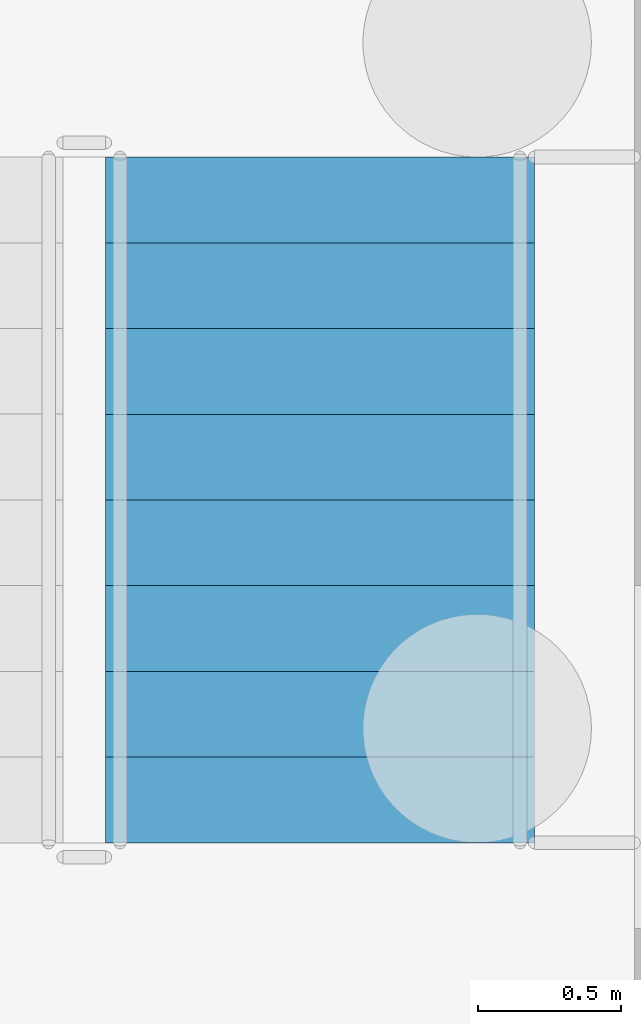
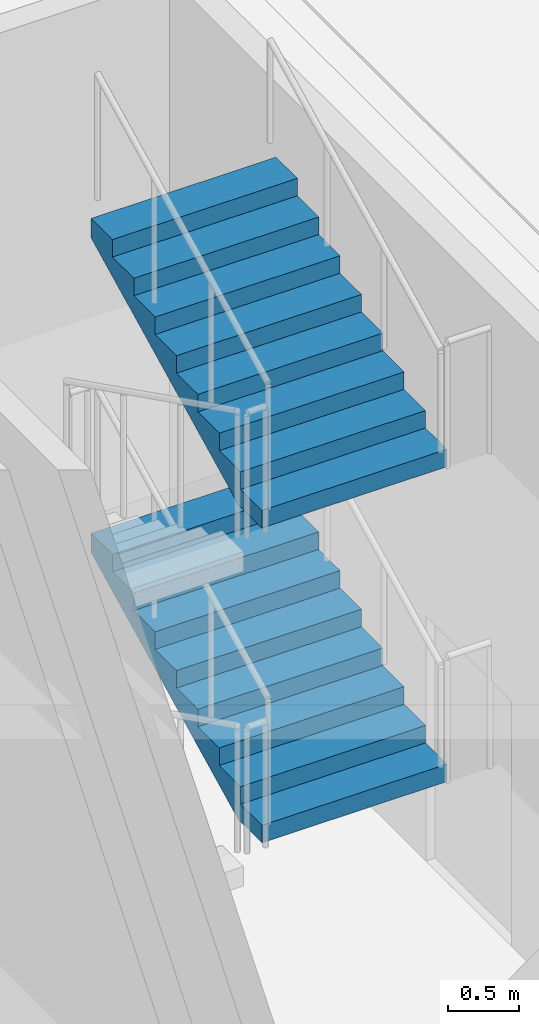
# One storey, part 69 of 129: 2 stair flights, 1 element without a shape of its own.
"""IFC4 building model written with IfcOpenShell, lengths in metres."""

from ifc_helpers import new_model, si_unit, direction, frame, origin, place, context, subcontext, project, spatial, faceted_brep, material, type_object, element, aggregate, save


model = new_model("IFC4")

# Units and contexts
model_context = context("Model", 3, precision=1e-05, world=origin(), true_north=direction((0.0, 1.0)))
body_context = subcontext(model_context, "Body", "Model", "MODEL_VIEW")
ifc_project = project(units=[si_unit("LENGTHUNIT", "METRE"), si_unit("AREAUNIT", "SQUARE_METRE"), si_unit("VOLUMEUNIT", "CUBIC_METRE"), si_unit("PLANEANGLEUNIT", "RADIAN"), si_unit("MASSUNIT", "GRAM", prefix="KILO")], contexts=[model_context])

# Site, building, storey
site_placement = place(None, origin())
site = spatial("IfcSite", under=ifc_project, at=site_placement, CompositionType="ELEMENT")
building_placement = place(site_placement, origin())
building = spatial("IfcBuilding", under=site, at=building_placement, Name="Kiln Court Media Centre", CompositionType="ELEMENT")
storey_placement = place(building_placement, origin())
storey = spatial("IfcBuildingStorey", under=building, at=storey_placement, Name="L00", CompositionType="ELEMENT", Elevation=0.0)

# Stair, stair flights
ifc_material_1 = material(Name="Concrete C40/50", Category="concrete")
stair_type = type_object("IfcStairType", Name="Concrete C40/50 dog-leg stair 1500 wide, 150 riser", PredefinedType="HALF_TURN_STAIR", material=ifc_material_1)
stair_placement = place(storey_placement, origin())
stair = element("IfcStair", 1, at=stair_placement, inside=storey, type_object=stair_type, Name="ST-04 L00", PredefinedType="HALF_TURN_STAIR")
ifc_material_2 = material(Name="Concrete C40/50", Category="concrete")
stair_flight_type = type_object("IfcStairFlightType", Name="Concrete C40/50 stair flight 1500 wide, 150 riser, 300 going", PredefinedType="STRAIGHT", material=ifc_material_2)
stair_flight_1_placement = place(storey_placement, frame((36.5, 3.89990234375, 1.35009765625), z_axis=(0.0, 0.0, 1.0), x_axis=(0.0, 1.0, 0.0)))
stair_flight_1 = element("IfcStairFlight", 2, at=stair_flight_1_placement, type_object=stair_flight_type, Name="L00-ST-5003 flight 5013", NumberOfRisers=9, NumberOfTreads=8, PredefinedType="STRAIGHT", RiserHeight=0.15, TreadLength=0.3, context=body_context, shape_type="Brep", body=[
    faceted_brep([(0.335205078125, -0.75, 0.0), (2.39990234375, -0.75, 1.032470703125), (2.39990234375, -0.75, 1.199951171875), (2.10009765625, -0.75, 1.199951171875), (2.10009765625, -0.75, 1.050048828125), (1.800048828125, -0.75, 1.050048828125), (1.800048828125, -0.75, 0.89990234375), (1.5, -0.75, 0.89990234375), (1.5, -0.75, 0.75), (1.199951171875, -0.75, 0.75), (1.199951171875, -0.75, 0.60009765625), (0.89990234375, -0.75, 0.60009765625), (0.89990234375, -0.75, 0.449951171875), (0.60009765625, -0.75, 0.449951171875), (0.60009765625, -0.75, 0.300048828125), (0.300048828125, -0.75, 0.300048828125), (0.300048828125, -0.75, 0.14990234375), (0.0, -0.75, 0.14990234375), (0.0, -0.75, 0.0), (0.0, 0.75, 0.0), (0.0, 0.75, 0.14990234375), (0.300048828125, 0.75, 0.14990234375), (0.300048828125, 0.75, 0.300048828125), (0.60009765625, 0.75, 0.300048828125), (0.60009765625, 0.75, 0.449951171875), (0.89990234375, 0.75, 0.449951171875), (0.89990234375, 0.75, 0.60009765625), (1.199951171875, 0.75, 0.60009765625), (1.199951171875, 0.75, 0.75), (1.5, 0.75, 0.75), (1.5, 0.75, 0.89990234375), (1.800048828125, 0.75, 0.89990234375), (1.800048828125, 0.75, 1.050048828125), (2.10009765625, 0.75, 1.050048828125), (2.10009765625, 0.75, 1.199951171875), (2.39990234375, 0.75, 1.199951171875), (2.39990234375, 0.75, 1.032470703125), (0.335205078125, 0.75, 0.0), (2.39990234375, 0.10009765625, 1.032470703125), (0.335205078125, 0.10009765625, 0.0), (2.39990234375, 0.080078125, 1.032470703125), (0.335205078125, 0.080078125, 0.0), (2.39990234375, 0.06005859375, 1.032470703125), (0.335205078125, 0.06005859375, 0.0), (2.39990234375, 0.0400390625, 1.032470703125), (0.335205078125, 0.0400390625, 0.0), (2.39990234375, 0.02001953125, 1.032470703125), (0.335205078125, 0.02001953125, 0.0), (2.39990234375, 0.0, 1.032470703125), (0.335205078125, 0.0, 0.0), (2.39990234375, -0.02001953125, 1.032470703125), (0.335205078125, -0.02001953125, 0.0), (2.39990234375, -0.0400390625, 1.032470703125), (0.335205078125, -0.0400390625, 0.0), (2.39990234375, -0.06005859375, 1.032470703125), (0.335205078125, -0.06005859375, 0.0), (2.39990234375, -0.080078125, 1.032470703125), (0.335205078125, -0.080078125, 0.0), (2.39990234375, -0.10009765625, 1.032470703125), (0.335205078125, -0.10009765625, 0.0), (2.39990234375, 0.10009765625, 1.199951171875), (2.39990234375, 0.080078125, 1.199951171875), (2.39990234375, 0.06005859375, 1.199951171875), (2.39990234375, 0.0400390625, 1.199951171875), (2.39990234375, 0.02001953125, 1.199951171875), (2.39990234375, 0.0, 1.199951171875), (2.39990234375, -0.02001953125, 1.199951171875), (2.39990234375, -0.0400390625, 1.199951171875), (2.39990234375, -0.06005859375, 1.199951171875), (2.39990234375, -0.080078125, 1.199951171875), (2.39990234375, -0.10009765625, 1.199951171875), (2.10009765625, 0.10009765625, 1.199951171875), (2.10009765625, 0.080078125, 1.199951171875), (2.10009765625, 0.06005859375, 1.199951171875), (2.10009765625, 0.0400390625, 1.199951171875), (2.10009765625, 0.02001953125, 1.199951171875), (2.10009765625, 0.0, 1.199951171875), (2.10009765625, -0.02001953125, 1.199951171875), (2.10009765625, -0.0400390625, 1.199951171875), (2.10009765625, -0.06005859375, 1.199951171875), (2.10009765625, -0.080078125, 1.199951171875), (2.10009765625, -0.10009765625, 1.199951171875), (2.10009765625, 0.10009765625, 1.050048828125), (2.10009765625, 0.080078125, 1.050048828125), (2.10009765625, 0.06005859375, 1.050048828125), (2.10009765625, 0.0400390625, 1.050048828125), (2.10009765625, 0.02001953125, 1.050048828125), (2.10009765625, 0.0, 1.050048828125), (2.10009765625, -0.02001953125, 1.050048828125), (2.10009765625, -0.0400390625, 1.050048828125), (2.10009765625, -0.06005859375, 1.050048828125), (2.10009765625, -0.080078125, 1.050048828125), (2.10009765625, -0.10009765625, 1.050048828125), (1.800048828125, 0.10009765625, 1.050048828125), (1.800048828125, 0.080078125, 1.050048828125), (1.800048828125, 0.06005859375, 1.050048828125), (1.800048828125, 0.0400390625, 1.050048828125), (1.800048828125, 0.02001953125, 1.050048828125), (1.800048828125, 0.0, 1.050048828125), (1.800048828125, -0.02001953125, 1.050048828125), (1.800048828125, -0.0400390625, 1.050048828125), (1.800048828125, -0.06005859375, 1.050048828125), (1.800048828125, -0.080078125, 1.050048828125), (1.800048828125, -0.10009765625, 1.050048828125), (1.800048828125, 0.10009765625, 0.89990234375), (1.800048828125, 0.080078125, 0.89990234375), (1.800048828125, 0.06005859375, 0.89990234375), (1.800048828125, 0.0400390625, 0.89990234375), (1.800048828125, 0.02001953125, 0.89990234375), (1.800048828125, 0.0, 0.89990234375), (1.800048828125, -0.02001953125, 0.89990234375), (1.800048828125, -0.0400390625, 0.89990234375), (1.800048828125, -0.06005859375, 0.89990234375), (1.800048828125, -0.080078125, 0.89990234375), (1.800048828125, -0.10009765625, 0.89990234375), (1.5, 0.10009765625, 0.89990234375), (1.5, 0.080078125, 0.89990234375), (1.5, 0.06005859375, 0.89990234375), (1.5, 0.0400390625, 0.89990234375), (1.5, 0.02001953125, 0.89990234375), (1.5, 0.0, 0.89990234375), (1.5, -0.02001953125, 0.89990234375), (1.5, -0.0400390625, 0.89990234375), (1.5, -0.06005859375, 0.89990234375), (1.5, -0.080078125, 0.89990234375), (1.5, -0.10009765625, 0.89990234375), (1.5, 0.10009765625, 0.75), (1.5, 0.080078125, 0.75), (1.5, 0.06005859375, 0.75), (1.5, 0.0400390625, 0.75), (1.5, 0.02001953125, 0.75), (1.5, 0.0, 0.75), (1.5, -0.02001953125, 0.75), (1.5, -0.0400390625, 0.75), (1.5, -0.06005859375, 0.75), (1.5, -0.080078125, 0.75), (1.5, -0.10009765625, 0.75), (1.199951171875, 0.10009765625, 0.75), (1.199951171875, 0.080078125, 0.75), (1.199951171875, 0.06005859375, 0.75), (1.199951171875, 0.0400390625, 0.75), (1.199951171875, 0.02001953125, 0.75), (1.199951171875, 0.0, 0.75), (1.199951171875, -0.02001953125, 0.75), (1.199951171875, -0.0400390625, 0.75), (1.199951171875, -0.06005859375, 0.75), (1.199951171875, -0.080078125, 0.75), (1.199951171875, -0.10009765625, 0.75), (1.199951171875, 0.10009765625, 0.60009765625), (1.199951171875, 0.080078125, 0.60009765625), (1.199951171875, 0.06005859375, 0.60009765625), (1.199951171875, 0.0400390625, 0.60009765625), (1.199951171875, 0.02001953125, 0.60009765625), (1.199951171875, 0.0, 0.60009765625), (1.199951171875, -0.02001953125, 0.60009765625), (1.199951171875, -0.0400390625, 0.60009765625), (1.199951171875, -0.06005859375, 0.60009765625), (1.199951171875, -0.080078125, 0.60009765625), (1.199951171875, -0.10009765625, 0.60009765625), (0.89990234375, 0.10009765625, 0.60009765625), (0.89990234375, 0.080078125, 0.60009765625), (0.89990234375, 0.06005859375, 0.60009765625), (0.89990234375, 0.0400390625, 0.60009765625), (0.89990234375, 0.02001953125, 0.60009765625), (0.89990234375, 0.0, 0.60009765625), (0.89990234375, -0.02001953125, 0.60009765625), (0.89990234375, -0.0400390625, 0.60009765625), (0.89990234375, -0.06005859375, 0.60009765625), (0.89990234375, -0.080078125, 0.60009765625), (0.89990234375, -0.10009765625, 0.60009765625), (0.89990234375, 0.10009765625, 0.449951171875), (0.89990234375, 0.080078125, 0.449951171875), (0.89990234375, 0.06005859375, 0.449951171875), (0.89990234375, 0.0400390625, 0.449951171875), (0.89990234375, 0.02001953125, 0.449951171875), (0.89990234375, 0.0, 0.449951171875), (0.89990234375, -0.02001953125, 0.449951171875), (0.89990234375, -0.0400390625, 0.449951171875), (0.89990234375, -0.06005859375, 0.449951171875), (0.89990234375, -0.080078125, 0.449951171875), (0.89990234375, -0.10009765625, 0.449951171875), (0.60009765625, 0.10009765625, 0.449951171875), (0.60009765625, 0.080078125, 0.449951171875), (0.60009765625, 0.06005859375, 0.449951171875), (0.60009765625, 0.0400390625, 0.449951171875), (0.60009765625, 0.02001953125, 0.449951171875), (0.60009765625, 0.0, 0.449951171875), (0.60009765625, -0.02001953125, 0.449951171875), (0.60009765625, -0.0400390625, 0.449951171875), (0.60009765625, -0.06005859375, 0.449951171875), (0.60009765625, -0.080078125, 0.449951171875), (0.60009765625, -0.10009765625, 0.449951171875), (0.60009765625, 0.10009765625, 0.300048828125), (0.60009765625, 0.080078125, 0.300048828125), (0.60009765625, 0.06005859375, 0.300048828125), (0.60009765625, 0.0400390625, 0.300048828125), (0.60009765625, 0.02001953125, 0.300048828125), (0.60009765625, 0.0, 0.300048828125), (0.60009765625, -0.02001953125, 0.300048828125), (0.60009765625, -0.0400390625, 0.300048828125), (0.60009765625, -0.06005859375, 0.300048828125), (0.60009765625, -0.080078125, 0.300048828125), (0.60009765625, -0.10009765625, 0.300048828125), (0.300048828125, 0.10009765625, 0.300048828125), (0.300048828125, 0.080078125, 0.300048828125), (0.300048828125, 0.06005859375, 0.300048828125), (0.300048828125, 0.0400390625, 0.300048828125), (0.300048828125, 0.02001953125, 0.300048828125), (0.300048828125, 0.0, 0.300048828125), (0.300048828125, -0.02001953125, 0.300048828125), (0.300048828125, -0.0400390625, 0.300048828125), (0.300048828125, -0.06005859375, 0.300048828125), (0.300048828125, -0.080078125, 0.300048828125), (0.300048828125, -0.10009765625, 0.300048828125), (0.300048828125, 0.10009765625, 0.14990234375), (0.300048828125, 0.080078125, 0.14990234375), (0.300048828125, 0.06005859375, 0.14990234375), (0.300048828125, 0.0400390625, 0.14990234375), (0.300048828125, 0.02001953125, 0.14990234375), (0.300048828125, 0.0, 0.14990234375), (0.300048828125, -0.02001953125, 0.14990234375), (0.300048828125, -0.0400390625, 0.14990234375), (0.300048828125, -0.06005859375, 0.14990234375), (0.300048828125, -0.080078125, 0.14990234375), (0.300048828125, -0.10009765625, 0.14990234375), (0.0, 0.10009765625, 0.14990234375), (0.0, 0.080078125, 0.14990234375), (0.0, 0.06005859375, 0.14990234375), (0.0, 0.0400390625, 0.14990234375), (0.0, 0.02001953125, 0.14990234375), (0.0, 0.0, 0.14990234375), (0.0, -0.02001953125, 0.14990234375), (0.0, -0.0400390625, 0.14990234375), (0.0, -0.06005859375, 0.14990234375), (0.0, -0.080078125, 0.14990234375), (0.0, -0.10009765625, 0.14990234375), (0.0, 0.10009765625, 0.0), (0.0, 0.080078125, 0.0), (0.0, 0.06005859375, 0.0), (0.0, 0.0400390625, 0.0), (0.0, 0.02001953125, 0.0), (0.0, 0.0, 0.0), (0.0, -0.02001953125, 0.0), (0.0, -0.0400390625, 0.0), (0.0, -0.06005859375, 0.0), (0.0, -0.080078125, 0.0), (0.0, -0.10009765625, 0.0)], [[[0, 1, 2, 3, 4, 5, 6, 7, 8, 9, 10, 11, 12, 13, 14, 15, 16, 17, 18]], [[19, 20, 21, 22, 23, 24, 25, 26, 27, 28, 29, 30, 31, 32, 33, 34, 35, 36, 37]], [[37, 36, 38, 39]], [[39, 38, 40, 41]], [[41, 40, 42, 43]], [[43, 42, 44, 45]], [[45, 44, 46, 47]], [[47, 46, 48, 49]], [[49, 48, 50, 51]], [[51, 50, 52, 53]], [[53, 52, 54, 55]], [[55, 54, 56, 57]], [[57, 56, 58, 59]], [[59, 58, 1, 0]], [[36, 35, 60, 38]], [[38, 60, 61, 40]], [[40, 61, 62, 42]], [[42, 62, 63, 44]], [[44, 63, 64, 46]], [[46, 64, 65, 48]], [[48, 65, 66, 50]], [[50, 66, 67, 52]], [[52, 67, 68, 54]], [[54, 68, 69, 56]], [[56, 69, 70, 58]], [[58, 70, 2, 1]], [[35, 34, 71, 60]], [[60, 71, 72, 61]], [[61, 72, 73, 62]], [[62, 73, 74, 63]], [[63, 74, 75, 64]], [[64, 75, 76, 65]], [[65, 76, 77, 66]], [[66, 77, 78, 67]], [[67, 78, 79, 68]], [[68, 79, 80, 69]], [[69, 80, 81, 70]], [[70, 81, 3, 2]], [[34, 33, 82, 71]], [[71, 82, 83, 72]], [[72, 83, 84, 73]], [[73, 84, 85, 74]], [[74, 85, 86, 75]], [[75, 86, 87, 76]], [[76, 87, 88, 77]], [[77, 88, 89, 78]], [[78, 89, 90, 79]], [[79, 90, 91, 80]], [[80, 91, 92, 81]], [[81, 92, 4, 3]], [[33, 32, 93, 82]], [[82, 93, 94, 83]], [[83, 94, 95, 84]], [[84, 95, 96, 85]], [[85, 96, 97, 86]], [[86, 97, 98, 87]], [[87, 98, 99, 88]], [[88, 99, 100, 89]], [[89, 100, 101, 90]], [[90, 101, 102, 91]], [[91, 102, 103, 92]], [[92, 103, 5, 4]], [[32, 31, 104, 93]], [[93, 104, 105, 94]], [[94, 105, 106, 95]], [[95, 106, 107, 96]], [[96, 107, 108, 97]], [[97, 108, 109, 98]], [[98, 109, 110, 99]], [[99, 110, 111, 100]], [[100, 111, 112, 101]], [[101, 112, 113, 102]], [[102, 113, 114, 103]], [[103, 114, 6, 5]], [[31, 30, 115, 104]], [[104, 115, 116, 105]], [[105, 116, 117, 106]], [[106, 117, 118, 107]], [[107, 118, 119, 108]], [[108, 119, 120, 109]], [[109, 120, 121, 110]], [[110, 121, 122, 111]], [[111, 122, 123, 112]], [[112, 123, 124, 113]], [[113, 124, 125, 114]], [[114, 125, 7, 6]], [[30, 29, 126, 115]], [[115, 126, 127, 116]], [[116, 127, 128, 117]], [[117, 128, 129, 118]], [[118, 129, 130, 119]], [[119, 130, 131, 120]], [[120, 131, 132, 121]], [[121, 132, 133, 122]], [[122, 133, 134, 123]], [[123, 134, 135, 124]], [[124, 135, 136, 125]], [[125, 136, 8, 7]], [[29, 28, 137, 126]], [[126, 137, 138, 127]], [[127, 138, 139, 128]], [[128, 139, 140, 129]], [[129, 140, 141, 130]], [[130, 141, 142, 131]], [[131, 142, 143, 132]], [[132, 143, 144, 133]], [[133, 144, 145, 134]], [[134, 145, 146, 135]], [[135, 146, 147, 136]], [[136, 147, 9, 8]], [[28, 27, 148, 137]], [[137, 148, 149, 138]], [[138, 149, 150, 139]], [[139, 150, 151, 140]], [[140, 151, 152, 141]], [[141, 152, 153, 142]], [[142, 153, 154, 143]], [[143, 154, 155, 144]], [[144, 155, 156, 145]], [[145, 156, 157, 146]], [[146, 157, 158, 147]], [[147, 158, 10, 9]], [[27, 26, 159, 148]], [[148, 159, 160, 149]], [[149, 160, 161, 150]], [[150, 161, 162, 151]], [[151, 162, 163, 152]], [[152, 163, 164, 153]], [[153, 164, 165, 154]], [[154, 165, 166, 155]], [[155, 166, 167, 156]], [[156, 167, 168, 157]], [[157, 168, 169, 158]], [[158, 169, 11, 10]], [[26, 25, 170, 159]], [[159, 170, 171, 160]], [[160, 171, 172, 161]], [[161, 172, 173, 162]], [[162, 173, 174, 163]], [[163, 174, 175, 164]], [[164, 175, 176, 165]], [[165, 176, 177, 166]], [[166, 177, 178, 167]], [[167, 178, 179, 168]], [[168, 179, 180, 169]], [[169, 180, 12, 11]], [[25, 24, 181, 170]], [[170, 181, 182, 171]], [[171, 182, 183, 172]], [[172, 183, 184, 173]], [[173, 184, 185, 174]], [[174, 185, 186, 175]], [[175, 186, 187, 176]], [[176, 187, 188, 177]], [[177, 188, 189, 178]], [[178, 189, 190, 179]], [[179, 190, 191, 180]], [[180, 191, 13, 12]], [[24, 23, 192, 181]], [[181, 192, 193, 182]], [[182, 193, 194, 183]], [[183, 194, 195, 184]], [[184, 195, 196, 185]], [[185, 196, 197, 186]], [[186, 197, 198, 187]], [[187, 198, 199, 188]], [[188, 199, 200, 189]], [[189, 200, 201, 190]], [[190, 201, 202, 191]], [[191, 202, 14, 13]], [[23, 22, 203, 192]], [[192, 203, 204, 193]], [[193, 204, 205, 194]], [[194, 205, 206, 195]], [[195, 206, 207, 196]], [[196, 207, 208, 197]], [[197, 208, 209, 198]], [[198, 209, 210, 199]], [[199, 210, 211, 200]], [[200, 211, 212, 201]], [[201, 212, 213, 202]], [[202, 213, 15, 14]], [[22, 21, 214, 203]], [[203, 214, 215, 204]], [[204, 215, 216, 205]], [[205, 216, 217, 206]], [[206, 217, 218, 207]], [[207, 218, 219, 208]], [[208, 219, 220, 209]], [[209, 220, 221, 210]], [[210, 221, 222, 211]], [[211, 222, 223, 212]], [[212, 223, 224, 213]], [[213, 224, 16, 15]], [[21, 20, 225, 214]], [[214, 225, 226, 215]], [[215, 226, 227, 216]], [[216, 227, 228, 217]], [[217, 228, 229, 218]], [[218, 229, 230, 219]], [[219, 230, 231, 220]], [[220, 231, 232, 221]], [[221, 232, 233, 222]], [[222, 233, 234, 223]], [[223, 234, 235, 224]], [[224, 235, 17, 16]], [[20, 19, 236, 225]], [[225, 236, 237, 226]], [[226, 237, 238, 227]], [[227, 238, 239, 228]], [[228, 239, 240, 229]], [[229, 240, 241, 230]], [[230, 241, 242, 231]], [[231, 242, 243, 232]], [[232, 243, 244, 233]], [[233, 244, 245, 234]], [[234, 245, 246, 235]], [[235, 246, 18, 17]], [[19, 37, 39, 236]], [[236, 39, 41, 237]], [[237, 41, 43, 238]], [[238, 43, 45, 239]], [[239, 45, 47, 240]], [[240, 47, 49, 241]], [[241, 49, 51, 242]], [[242, 51, 53, 243]], [[243, 53, 55, 244]], [[244, 55, 57, 245]], [[245, 57, 59, 246]], [[246, 59, 0, 18]]]),
])
stair_flight_2_placement = place(storey_placement, frame((36.5, 3.89990234375, 4.050048828125), z_axis=(0.0, 0.0, 1.0), x_axis=(0.0, 1.0, 0.0)))
stair_flight_2 = element("IfcStairFlight", 3, at=stair_flight_2_placement, type_object=stair_flight_type, Name="L00-ST-5003 flight 5015", NumberOfRisers=9, NumberOfTreads=8, PredefinedType="STRAIGHT", RiserHeight=0.15, TreadLength=0.3, context=body_context, shape_type="Brep", body=[
    faceted_brep([(0.335205078125, -0.75, 0.0), (2.39990234375, -0.75, 1.032470703125), (2.39990234375, -0.75, 1.199951171875), (2.10009765625, -0.75, 1.199951171875), (2.10009765625, -0.75, 1.050048828125), (1.800048828125, -0.75, 1.050048828125), (1.800048828125, -0.75, 0.89990234375), (1.5, -0.75, 0.89990234375), (1.5, -0.75, 0.75), (1.199951171875, -0.75, 0.75), (1.199951171875, -0.75, 0.60009765625), (0.89990234375, -0.75, 0.60009765625), (0.89990234375, -0.75, 0.449951171875), (0.60009765625, -0.75, 0.449951171875), (0.60009765625, -0.75, 0.300048828125), (0.300048828125, -0.75, 0.300048828125), (0.300048828125, -0.75, 0.14990234375), (0.0, -0.75, 0.14990234375), (0.0, -0.75, 0.0), (0.0, 0.75, 0.0), (0.0, 0.75, 0.14990234375), (0.300048828125, 0.75, 0.14990234375), (0.300048828125, 0.75, 0.300048828125), (0.60009765625, 0.75, 0.300048828125), (0.60009765625, 0.75, 0.449951171875), (0.89990234375, 0.75, 0.449951171875), (0.89990234375, 0.75, 0.60009765625), (1.199951171875, 0.75, 0.60009765625), (1.199951171875, 0.75, 0.75), (1.5, 0.75, 0.75), (1.5, 0.75, 0.89990234375), (1.800048828125, 0.75, 0.89990234375), (1.800048828125, 0.75, 1.050048828125), (2.10009765625, 0.75, 1.050048828125), (2.10009765625, 0.75, 1.199951171875), (2.39990234375, 0.75, 1.199951171875), (2.39990234375, 0.75, 1.032470703125), (0.335205078125, 0.75, 0.0), (2.39990234375, 0.10009765625, 1.032470703125), (0.335205078125, 0.10009765625, 0.0), (2.39990234375, 0.080078125, 1.032470703125), (0.335205078125, 0.080078125, 0.0), (2.39990234375, 0.06005859375, 1.032470703125), (0.335205078125, 0.06005859375, 0.0), (2.39990234375, 0.0400390625, 1.032470703125), (0.335205078125, 0.0400390625, 0.0), (2.39990234375, 0.02001953125, 1.032470703125), (0.335205078125, 0.02001953125, 0.0), (2.39990234375, 0.0, 1.032470703125), (0.335205078125, 0.0, 0.0), (2.39990234375, -0.02001953125, 1.032470703125), (0.335205078125, -0.02001953125, 0.0), (2.39990234375, -0.0400390625, 1.032470703125), (0.335205078125, -0.0400390625, 0.0), (2.39990234375, -0.06005859375, 1.032470703125), (0.335205078125, -0.06005859375, 0.0), (2.39990234375, -0.080078125, 1.032470703125), (0.335205078125, -0.080078125, 0.0), (2.39990234375, -0.10009765625, 1.032470703125), (0.335205078125, -0.10009765625, 0.0), (2.39990234375, 0.10009765625, 1.199951171875), (2.39990234375, 0.080078125, 1.199951171875), (2.39990234375, 0.06005859375, 1.199951171875), (2.39990234375, 0.0400390625, 1.199951171875), (2.39990234375, 0.02001953125, 1.199951171875), (2.39990234375, 0.0, 1.199951171875), (2.39990234375, -0.02001953125, 1.199951171875), (2.39990234375, -0.0400390625, 1.199951171875), (2.39990234375, -0.06005859375, 1.199951171875), (2.39990234375, -0.080078125, 1.199951171875), (2.39990234375, -0.10009765625, 1.199951171875), (2.10009765625, 0.10009765625, 1.199951171875), (2.10009765625, 0.080078125, 1.199951171875), (2.10009765625, 0.06005859375, 1.199951171875), (2.10009765625, 0.0400390625, 1.199951171875), (2.10009765625, 0.02001953125, 1.199951171875), (2.10009765625, 0.0, 1.199951171875), (2.10009765625, -0.02001953125, 1.199951171875), (2.10009765625, -0.0400390625, 1.199951171875), (2.10009765625, -0.06005859375, 1.199951171875), (2.10009765625, -0.080078125, 1.199951171875), (2.10009765625, -0.10009765625, 1.199951171875), (2.10009765625, 0.10009765625, 1.050048828125), (2.10009765625, 0.080078125, 1.050048828125), (2.10009765625, 0.06005859375, 1.050048828125), (2.10009765625, 0.0400390625, 1.050048828125), (2.10009765625, 0.02001953125, 1.050048828125), (2.10009765625, 0.0, 1.050048828125), (2.10009765625, -0.02001953125, 1.050048828125), (2.10009765625, -0.0400390625, 1.050048828125), (2.10009765625, -0.06005859375, 1.050048828125), (2.10009765625, -0.080078125, 1.050048828125), (2.10009765625, -0.10009765625, 1.050048828125), (1.800048828125, 0.10009765625, 1.050048828125), (1.800048828125, 0.080078125, 1.050048828125), (1.800048828125, 0.06005859375, 1.050048828125), (1.800048828125, 0.0400390625, 1.050048828125), (1.800048828125, 0.02001953125, 1.050048828125), (1.800048828125, 0.0, 1.050048828125), (1.800048828125, -0.02001953125, 1.050048828125), (1.800048828125, -0.0400390625, 1.050048828125), (1.800048828125, -0.06005859375, 1.050048828125), (1.800048828125, -0.080078125, 1.050048828125), (1.800048828125, -0.10009765625, 1.050048828125), (1.800048828125, 0.10009765625, 0.89990234375), (1.800048828125, 0.080078125, 0.89990234375), (1.800048828125, 0.06005859375, 0.89990234375), (1.800048828125, 0.0400390625, 0.89990234375), (1.800048828125, 0.02001953125, 0.89990234375), (1.800048828125, 0.0, 0.89990234375), (1.800048828125, -0.02001953125, 0.89990234375), (1.800048828125, -0.0400390625, 0.89990234375), (1.800048828125, -0.06005859375, 0.89990234375), (1.800048828125, -0.080078125, 0.89990234375), (1.800048828125, -0.10009765625, 0.89990234375), (1.5, 0.10009765625, 0.89990234375), (1.5, 0.080078125, 0.89990234375), (1.5, 0.06005859375, 0.89990234375), (1.5, 0.0400390625, 0.89990234375), (1.5, 0.02001953125, 0.89990234375), (1.5, 0.0, 0.89990234375), (1.5, -0.02001953125, 0.89990234375), (1.5, -0.0400390625, 0.89990234375), (1.5, -0.06005859375, 0.89990234375), (1.5, -0.080078125, 0.89990234375), (1.5, -0.10009765625, 0.89990234375), (1.5, 0.10009765625, 0.75), (1.5, 0.080078125, 0.75), (1.5, 0.06005859375, 0.75), (1.5, 0.0400390625, 0.75), (1.5, 0.02001953125, 0.75), (1.5, 0.0, 0.75), (1.5, -0.02001953125, 0.75), (1.5, -0.0400390625, 0.75), (1.5, -0.06005859375, 0.75), (1.5, -0.080078125, 0.75), (1.5, -0.10009765625, 0.75), (1.199951171875, 0.10009765625, 0.75), (1.199951171875, 0.080078125, 0.75), (1.199951171875, 0.06005859375, 0.75), (1.199951171875, 0.0400390625, 0.75), (1.199951171875, 0.02001953125, 0.75), (1.199951171875, 0.0, 0.75), (1.199951171875, -0.02001953125, 0.75), (1.199951171875, -0.0400390625, 0.75), (1.199951171875, -0.06005859375, 0.75), (1.199951171875, -0.080078125, 0.75), (1.199951171875, -0.10009765625, 0.75), (1.199951171875, 0.10009765625, 0.60009765625), (1.199951171875, 0.080078125, 0.60009765625), (1.199951171875, 0.06005859375, 0.60009765625), (1.199951171875, 0.0400390625, 0.60009765625), (1.199951171875, 0.02001953125, 0.60009765625), (1.199951171875, 0.0, 0.60009765625), (1.199951171875, -0.02001953125, 0.60009765625), (1.199951171875, -0.0400390625, 0.60009765625), (1.199951171875, -0.06005859375, 0.60009765625), (1.199951171875, -0.080078125, 0.60009765625), (1.199951171875, -0.10009765625, 0.60009765625), (0.89990234375, 0.10009765625, 0.60009765625), (0.89990234375, 0.080078125, 0.60009765625), (0.89990234375, 0.06005859375, 0.60009765625), (0.89990234375, 0.0400390625, 0.60009765625), (0.89990234375, 0.02001953125, 0.60009765625), (0.89990234375, 0.0, 0.60009765625), (0.89990234375, -0.02001953125, 0.60009765625), (0.89990234375, -0.0400390625, 0.60009765625), (0.89990234375, -0.06005859375, 0.60009765625), (0.89990234375, -0.080078125, 0.60009765625), (0.89990234375, -0.10009765625, 0.60009765625), (0.89990234375, 0.10009765625, 0.449951171875), (0.89990234375, 0.080078125, 0.449951171875), (0.89990234375, 0.06005859375, 0.449951171875), (0.89990234375, 0.0400390625, 0.449951171875), (0.89990234375, 0.02001953125, 0.449951171875), (0.89990234375, 0.0, 0.449951171875), (0.89990234375, -0.02001953125, 0.449951171875), (0.89990234375, -0.0400390625, 0.449951171875), (0.89990234375, -0.06005859375, 0.449951171875), (0.89990234375, -0.080078125, 0.449951171875), (0.89990234375, -0.10009765625, 0.449951171875), (0.60009765625, 0.10009765625, 0.449951171875), (0.60009765625, 0.080078125, 0.449951171875), (0.60009765625, 0.06005859375, 0.449951171875), (0.60009765625, 0.0400390625, 0.449951171875), (0.60009765625, 0.02001953125, 0.449951171875), (0.60009765625, 0.0, 0.449951171875), (0.60009765625, -0.02001953125, 0.449951171875), (0.60009765625, -0.0400390625, 0.449951171875), (0.60009765625, -0.06005859375, 0.449951171875), (0.60009765625, -0.080078125, 0.449951171875), (0.60009765625, -0.10009765625, 0.449951171875), (0.60009765625, 0.10009765625, 0.300048828125), (0.60009765625, 0.080078125, 0.300048828125), (0.60009765625, 0.06005859375, 0.300048828125), (0.60009765625, 0.0400390625, 0.300048828125), (0.60009765625, 0.02001953125, 0.300048828125), (0.60009765625, 0.0, 0.300048828125), (0.60009765625, -0.02001953125, 0.300048828125), (0.60009765625, -0.0400390625, 0.300048828125), (0.60009765625, -0.06005859375, 0.300048828125), (0.60009765625, -0.080078125, 0.300048828125), (0.60009765625, -0.10009765625, 0.300048828125), (0.300048828125, 0.10009765625, 0.300048828125), (0.300048828125, 0.080078125, 0.300048828125), (0.300048828125, 0.06005859375, 0.300048828125), (0.300048828125, 0.0400390625, 0.300048828125), (0.300048828125, 0.02001953125, 0.300048828125), (0.300048828125, 0.0, 0.300048828125), (0.300048828125, -0.02001953125, 0.300048828125), (0.300048828125, -0.0400390625, 0.300048828125), (0.300048828125, -0.06005859375, 0.300048828125), (0.300048828125, -0.080078125, 0.300048828125), (0.300048828125, -0.10009765625, 0.300048828125), (0.300048828125, 0.10009765625, 0.14990234375), (0.300048828125, 0.080078125, 0.14990234375), (0.300048828125, 0.06005859375, 0.14990234375), (0.300048828125, 0.0400390625, 0.14990234375), (0.300048828125, 0.02001953125, 0.14990234375), (0.300048828125, 0.0, 0.14990234375), (0.300048828125, -0.02001953125, 0.14990234375), (0.300048828125, -0.0400390625, 0.14990234375), (0.300048828125, -0.06005859375, 0.14990234375), (0.300048828125, -0.080078125, 0.14990234375), (0.300048828125, -0.10009765625, 0.14990234375), (0.0, 0.10009765625, 0.14990234375), (0.0, 0.080078125, 0.14990234375), (0.0, 0.06005859375, 0.14990234375), (0.0, 0.0400390625, 0.14990234375), (0.0, 0.02001953125, 0.14990234375), (0.0, 0.0, 0.14990234375), (0.0, -0.02001953125, 0.14990234375), (0.0, -0.0400390625, 0.14990234375), (0.0, -0.06005859375, 0.14990234375), (0.0, -0.080078125, 0.14990234375), (0.0, -0.10009765625, 0.14990234375), (0.0, 0.10009765625, 0.0), (0.0, 0.080078125, 0.0), (0.0, 0.06005859375, 0.0), (0.0, 0.0400390625, 0.0), (0.0, 0.02001953125, 0.0), (0.0, 0.0, 0.0), (0.0, -0.02001953125, 0.0), (0.0, -0.0400390625, 0.0), (0.0, -0.06005859375, 0.0), (0.0, -0.080078125, 0.0), (0.0, -0.10009765625, 0.0)], [[[0, 1, 2, 3, 4, 5, 6, 7, 8, 9, 10, 11, 12, 13, 14, 15, 16, 17, 18]], [[19, 20, 21, 22, 23, 24, 25, 26, 27, 28, 29, 30, 31, 32, 33, 34, 35, 36, 37]], [[37, 36, 38, 39]], [[39, 38, 40, 41]], [[41, 40, 42, 43]], [[43, 42, 44, 45]], [[45, 44, 46, 47]], [[47, 46, 48, 49]], [[49, 48, 50, 51]], [[51, 50, 52, 53]], [[53, 52, 54, 55]], [[55, 54, 56, 57]], [[57, 56, 58, 59]], [[59, 58, 1, 0]], [[36, 35, 60, 38]], [[38, 60, 61, 40]], [[40, 61, 62, 42]], [[42, 62, 63, 44]], [[44, 63, 64, 46]], [[46, 64, 65, 48]], [[48, 65, 66, 50]], [[50, 66, 67, 52]], [[52, 67, 68, 54]], [[54, 68, 69, 56]], [[56, 69, 70, 58]], [[58, 70, 2, 1]], [[35, 34, 71, 60]], [[60, 71, 72, 61]], [[61, 72, 73, 62]], [[62, 73, 74, 63]], [[63, 74, 75, 64]], [[64, 75, 76, 65]], [[65, 76, 77, 66]], [[66, 77, 78, 67]], [[67, 78, 79, 68]], [[68, 79, 80, 69]], [[69, 80, 81, 70]], [[70, 81, 3, 2]], [[34, 33, 82, 71]], [[71, 82, 83, 72]], [[72, 83, 84, 73]], [[73, 84, 85, 74]], [[74, 85, 86, 75]], [[75, 86, 87, 76]], [[76, 87, 88, 77]], [[77, 88, 89, 78]], [[78, 89, 90, 79]], [[79, 90, 91, 80]], [[80, 91, 92, 81]], [[81, 92, 4, 3]], [[33, 32, 93, 82]], [[82, 93, 94, 83]], [[83, 94, 95, 84]], [[84, 95, 96, 85]], [[85, 96, 97, 86]], [[86, 97, 98, 87]], [[87, 98, 99, 88]], [[88, 99, 100, 89]], [[89, 100, 101, 90]], [[90, 101, 102, 91]], [[91, 102, 103, 92]], [[92, 103, 5, 4]], [[32, 31, 104, 93]], [[93, 104, 105, 94]], [[94, 105, 106, 95]], [[95, 106, 107, 96]], [[96, 107, 108, 97]], [[97, 108, 109, 98]], [[98, 109, 110, 99]], [[99, 110, 111, 100]], [[100, 111, 112, 101]], [[101, 112, 113, 102]], [[102, 113, 114, 103]], [[103, 114, 6, 5]], [[31, 30, 115, 104]], [[104, 115, 116, 105]], [[105, 116, 117, 106]], [[106, 117, 118, 107]], [[107, 118, 119, 108]], [[108, 119, 120, 109]], [[109, 120, 121, 110]], [[110, 121, 122, 111]], [[111, 122, 123, 112]], [[112, 123, 124, 113]], [[113, 124, 125, 114]], [[114, 125, 7, 6]], [[30, 29, 126, 115]], [[115, 126, 127, 116]], [[116, 127, 128, 117]], [[117, 128, 129, 118]], [[118, 129, 130, 119]], [[119, 130, 131, 120]], [[120, 131, 132, 121]], [[121, 132, 133, 122]], [[122, 133, 134, 123]], [[123, 134, 135, 124]], [[124, 135, 136, 125]], [[125, 136, 8, 7]], [[29, 28, 137, 126]], [[126, 137, 138, 127]], [[127, 138, 139, 128]], [[128, 139, 140, 129]], [[129, 140, 141, 130]], [[130, 141, 142, 131]], [[131, 142, 143, 132]], [[132, 143, 144, 133]], [[133, 144, 145, 134]], [[134, 145, 146, 135]], [[135, 146, 147, 136]], [[136, 147, 9, 8]], [[28, 27, 148, 137]], [[137, 148, 149, 138]], [[138, 149, 150, 139]], [[139, 150, 151, 140]], [[140, 151, 152, 141]], [[141, 152, 153, 142]], [[142, 153, 154, 143]], [[143, 154, 155, 144]], [[144, 155, 156, 145]], [[145, 156, 157, 146]], [[146, 157, 158, 147]], [[147, 158, 10, 9]], [[27, 26, 159, 148]], [[148, 159, 160, 149]], [[149, 160, 161, 150]], [[150, 161, 162, 151]], [[151, 162, 163, 152]], [[152, 163, 164, 153]], [[153, 164, 165, 154]], [[154, 165, 166, 155]], [[155, 166, 167, 156]], [[156, 167, 168, 157]], [[157, 168, 169, 158]], [[158, 169, 11, 10]], [[26, 25, 170, 159]], [[159, 170, 171, 160]], [[160, 171, 172, 161]], [[161, 172, 173, 162]], [[162, 173, 174, 163]], [[163, 174, 175, 164]], [[164, 175, 176, 165]], [[165, 176, 177, 166]], [[166, 177, 178, 167]], [[167, 178, 179, 168]], [[168, 179, 180, 169]], [[169, 180, 12, 11]], [[25, 24, 181, 170]], [[170, 181, 182, 171]], [[171, 182, 183, 172]], [[172, 183, 184, 173]], [[173, 184, 185, 174]], [[174, 185, 186, 175]], [[175, 186, 187, 176]], [[176, 187, 188, 177]], [[177, 188, 189, 178]], [[178, 189, 190, 179]], [[179, 190, 191, 180]], [[180, 191, 13, 12]], [[24, 23, 192, 181]], [[181, 192, 193, 182]], [[182, 193, 194, 183]], [[183, 194, 195, 184]], [[184, 195, 196, 185]], [[185, 196, 197, 186]], [[186, 197, 198, 187]], [[187, 198, 199, 188]], [[188, 199, 200, 189]], [[189, 200, 201, 190]], [[190, 201, 202, 191]], [[191, 202, 14, 13]], [[23, 22, 203, 192]], [[192, 203, 204, 193]], [[193, 204, 205, 194]], [[194, 205, 206, 195]], [[195, 206, 207, 196]], [[196, 207, 208, 197]], [[197, 208, 209, 198]], [[198, 209, 210, 199]], [[199, 210, 211, 200]], [[200, 211, 212, 201]], [[201, 212, 213, 202]], [[202, 213, 15, 14]], [[22, 21, 214, 203]], [[203, 214, 215, 204]], [[204, 215, 216, 205]], [[205, 216, 217, 206]], [[206, 217, 218, 207]], [[207, 218, 219, 208]], [[208, 219, 220, 209]], [[209, 220, 221, 210]], [[210, 221, 222, 211]], [[211, 222, 223, 212]], [[212, 223, 224, 213]], [[213, 224, 16, 15]], [[21, 20, 225, 214]], [[214, 225, 226, 215]], [[215, 226, 227, 216]], [[216, 227, 228, 217]], [[217, 228, 229, 218]], [[218, 229, 230, 219]], [[219, 230, 231, 220]], [[220, 231, 232, 221]], [[221, 232, 233, 222]], [[222, 233, 234, 223]], [[223, 234, 235, 224]], [[224, 235, 17, 16]], [[20, 19, 236, 225]], [[225, 236, 237, 226]], [[226, 237, 238, 227]], [[227, 238, 239, 228]], [[228, 239, 240, 229]], [[229, 240, 241, 230]], [[230, 241, 242, 231]], [[231, 242, 243, 232]], [[232, 243, 244, 233]], [[233, 244, 245, 234]], [[234, 245, 246, 235]], [[235, 246, 18, 17]], [[19, 37, 39, 236]], [[236, 39, 41, 237]], [[237, 41, 43, 238]], [[238, 43, 45, 239]], [[239, 45, 47, 240]], [[240, 47, 49, 241]], [[241, 49, 51, 242]], [[242, 51, 53, 243]], [[243, 53, 55, 244]], [[244, 55, 57, 245]], [[245, 57, 59, 246]], [[246, 59, 0, 18]]]),
])
aggregate(stair, [stair_flight_1, stair_flight_2])

save(model, "model.ifc")
